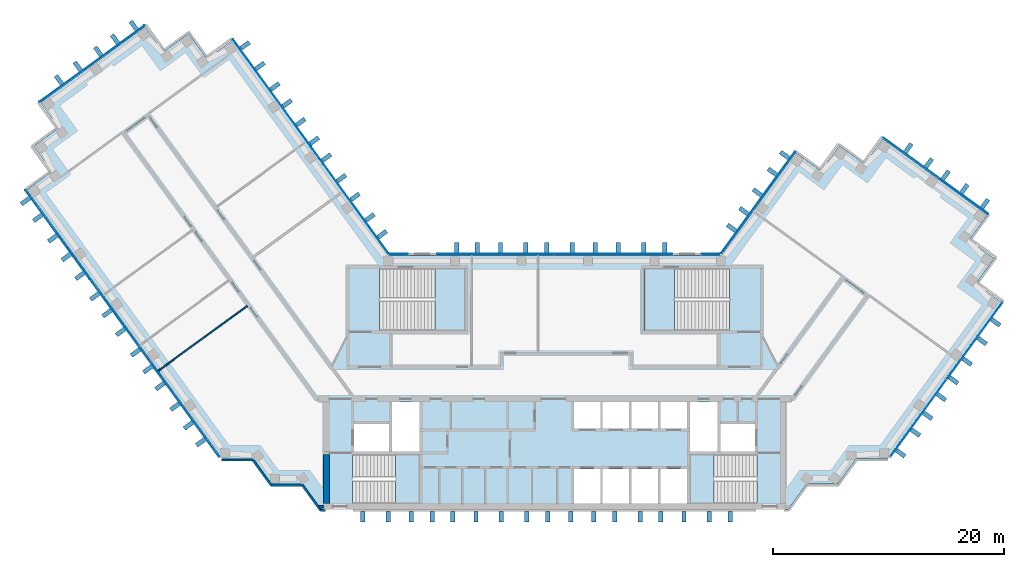
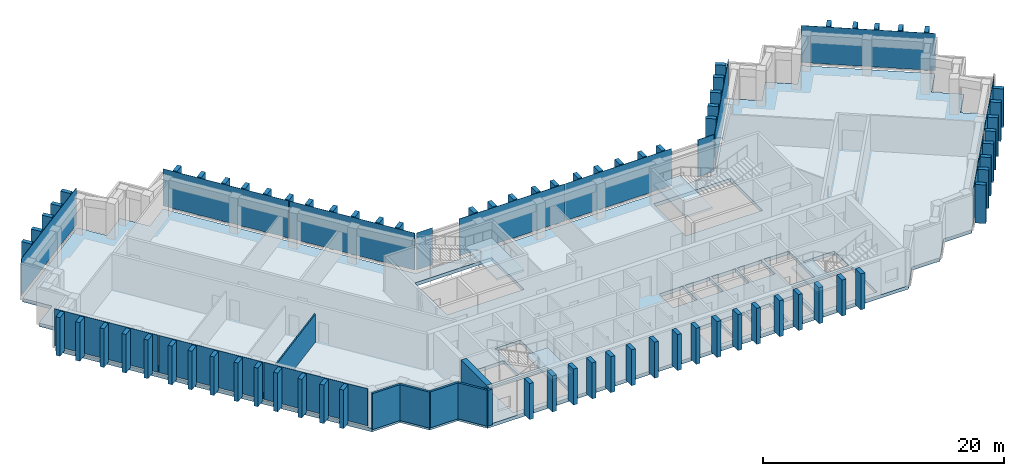
"""IFC4 building model written with IfcOpenShell, lengths in metres."""

from ifc_helpers import new_model, si_unit, direction, frame, frame_2d, origin, origin_2d, place, context, subcontext, project, spatial, polyline, rectangle, outline, extrude, material, layer, layer_set, type_object, element, aggregate, save


model = new_model("IFC4")

# Units and contexts
model_context = context("Model", 3, precision=1e-05, world=origin(), true_north=direction((0.0, 1.0)))
body_context = subcontext(model_context, "Body", "Model", "MODEL_VIEW")
ifc_project = project(units=[si_unit("LENGTHUNIT", "METRE"), si_unit("AREAUNIT", "SQUARE_METRE"), si_unit("VOLUMEUNIT", "CUBIC_METRE"), si_unit("PLANEANGLEUNIT", "RADIAN"), si_unit("MASSUNIT", "GRAM", prefix="KILO")], contexts=[model_context])

# Site, building, storey
site_placement = place(None, origin())
site = spatial("IfcSite", under=ifc_project, at=site_placement, CompositionType="ELEMENT")
building_placement = place(site_placement, origin())
building = spatial("IfcBuilding", under=site, at=building_placement, Name="Quipu Civic Tower", CompositionType="ELEMENT")
storey_1_placement = place(building_placement, frame((0.0, 0.0, 194.0)))
storey_1 = spatial("IfcBuildingStorey", under=building, at=storey_1_placement, Name="L45", CompositionType="ELEMENT", Elevation=194.0)

# Slab
ifc_material_1 = material(Name="Concrete C40/50", Category="concrete")
ifc_layer_1 = layer(ifc_material_1, 0.35009765625)
ifc_layer_set_1 = layer_set([ifc_layer_1], Name="Concrete C40/50")
slab_type_1 = type_object("IfcSlabType", Name="Floor slab 350 C40/50", PredefinedType="FLOOR", material=ifc_layer_set_1)
slab_1_placement = place(storey_1_placement, frame((0.0, 0.0, -0.35009765625)))
element("IfcSlab", 1, at=slab_1_placement, inside=storey_1, type_object=slab_type_1, Name="Floor slab L45", PredefinedType="FLOOR", context=body_context, shape_type="SweptSolid", body=[
    extrude(outline(polyline([(20.860107421875, 19.89501953125), (23.0400390625, 18.31005859375), (24.6298828125, 20.4951171875), (26.81494140625, 18.905029296875), (28.39990234375, 21.090087890625), (37.4599609375, 14.5048828125), (35.875, 12.320068359375), (38.06005859375, 10.735107421875), (36.469970703125, 8.550048828125), (38.655029296875, 6.965087890625), (28.780029296875, -6.6298828125), (26.080078125, -6.6298828125), (24.489990234375, -8.81494140625), (21.7900390625, -8.81494140625), (20.205078125, -11.0), (-20.205078125, -11.0), (-21.7900390625, -8.81494140625), (-24.489990234375, -8.81494140625), (-26.080078125, -6.6298828125), (-28.780029296875, -6.6298828125), (-45.7099609375, 16.669921875), (-43.52490234375, 18.260009765625), (-45.114990234375, 20.445068359375), (-42.929931640625, 22.030029296875), (-44.514892578125, 24.215087890625), (-35.455078125, 30.800048828125), (-33.864990234375, 28.614990234375), (-31.68505859375, 30.199951171875), (-30.094970703125, 28.014892578125), (-27.909912109375, 29.60498046875), (-14.39501953125, 11.0), (14.39501953125, 11.0), (20.860107421875, 19.89501953125)]), holes=[polyline([(1.64990234375, -7.5), (1.64990234375, -10.5), (3.949951171875, -10.5), (3.949951171875, -7.5), (1.64990234375, -7.5)]), polyline([(4.14990234375, -7.5), (4.14990234375, -10.5), (6.449951171875, -10.5), (6.449951171875, -7.5), (4.14990234375, -7.5)]), polyline([(-11.705078125, -6.2548828125), (-17.4951171875, -6.2548828125), (-17.4951171875, -10.4951171875), (-11.705078125, -10.4951171875), (-11.705078125, -6.2548828125)]), polyline([(-17.35009765625, -3.60009765625), (-17.35009765625, -6.0), (-14.35009765625, -6.0), (-14.35009765625, -3.60009765625), (-17.35009765625, -3.60009765625)]), polyline([(-14.10009765625, -1.699951171875), (-14.10009765625, -6.0), (-11.699951171875, -6.0), (-11.699951171875, -1.699951171875), (-14.10009765625, -1.699951171875)]), polyline([(1.64990234375, -1.699951171875), (1.64990234375, -4.0), (3.949951171875, -4.0), (3.949951171875, -1.699951171875), (1.64990234375, -1.699951171875)]), polyline([(4.14990234375, -1.699951171875), (4.14990234375, -4.0), (6.449951171875, -4.0), (6.449951171875, -1.699951171875), (4.14990234375, -1.699951171875)]), polyline([(-7.7548828125, 9.844970703125), (-15.14501953125, 9.844970703125), (-15.14501953125, 4.5048828125), (-7.7548828125, 4.5048828125), (-7.7548828125, 9.844970703125)]), polyline([(6.64990234375, -7.5), (6.64990234375, -10.5), (8.949951171875, -10.5), (8.949951171875, -7.5), (6.64990234375, -7.5)]), polyline([(9.14990234375, -7.5), (9.14990234375, -10.5), (11.449951171875, -10.5), (11.449951171875, -7.5), (9.14990234375, -7.5)]), polyline([(11.705078125, -10.4951171875), (17.4951171875, -10.4951171875), (17.4951171875, -6.2548828125), (11.705078125, -6.2548828125), (11.705078125, -10.4951171875)]), polyline([(14.35009765625, -3.60009765625), (14.35009765625, -6.0), (17.35009765625, -6.0), (17.35009765625, -3.60009765625), (14.35009765625, -3.60009765625)]), polyline([(11.699951171875, -1.699951171875), (11.699951171875, -6.0), (14.10009765625, -6.0), (14.10009765625, -1.699951171875), (11.699951171875, -1.699951171875)]), polyline([(6.64990234375, -1.699951171875), (6.64990234375, -4.0), (8.949951171875, -4.0), (8.949951171875, -1.699951171875), (6.64990234375, -1.699951171875)]), polyline([(9.14990234375, -1.699951171875), (9.14990234375, -4.0), (11.449951171875, -4.0), (11.449951171875, -1.699951171875), (9.14990234375, -1.699951171875)]), polyline([(7.7548828125, 4.5048828125), (15.14501953125, 4.5048828125), (15.14501953125, 9.844970703125), (7.7548828125, 9.844970703125), (7.7548828125, 4.5048828125)])]), origin(), (0.0, 0.0, 1.0), 0.35009765625),
])

# Curtain wall, plates
ifc_material_2 = material(Name="Insulated glass unit", Category="glass")
curtain_wall_type = type_object("IfcCurtainWallType", Name="Office curtain wall CW1", PredefinedType="NOTDEFINED", material=ifc_material_2)
curtain_wall_1_placement = place(storey_1_placement, origin())
curtain_wall_1 = element("IfcCurtainWall", 2, at=curtain_wall_1_placement, inside=storey_1, type_object=curtain_wall_type, Name="Office curtain wall CW1 L45 run 1", PredefinedType="NOTDEFINED")
ifc_material_3 = material(Name="Insulated glass unit", Category="glass")
ifc_layer_2 = layer(ifc_material_3, 0.028076171875)
ifc_layer_set_2 = layer_set([ifc_layer_2], Name="Insulated glass unit")
plate_type_1 = type_object("IfcPlateType", Name="Glass panel CW1", PredefinedType="CURTAIN_PANEL", material=ifc_layer_set_2)
plate_1_placement = place(storey_1_placement, frame((31.465087890625, -3.10400390625, 0.240234375), z_axis=(0.0, 0.0, 1.0), x_axis=(0.58778680192, 0.809015868502, 0.0)))
plate_1 = element("IfcPlate", 3, at=plate_1_placement, type_object=plate_type_1, Name="CW1 panel 1.1", PredefinedType="CURTAIN_PANEL", context=body_context, shape_type="SweptSolid", body=[
    extrude(rectangle(XDim=8.2080078125, YDim=0.028076171875, at=origin_2d()), origin(), (0.0, 0.0, 1.0), 3.679931640625),
])
plate_2_placement = place(storey_1_placement, frame((36.3369140625, 3.60107421875, 0.240234375), z_axis=(0.0, 0.0, 1.0), x_axis=(0.58778680192, 0.809015868502, 0.0)))
plate_2 = element("IfcPlate", 4, at=plate_2_placement, type_object=plate_type_1, Name="CW1 panel 2.1", PredefinedType="CURTAIN_PANEL", context=body_context, shape_type="SweptSolid", body=[
    extrude(rectangle(XDim=8.2080078125, YDim=0.028076171875, at=origin_2d()), origin(), (0.0, 0.0, 1.0), 3.679931640625),
])
aggregate(curtain_wall_1, [plate_1, plate_2])

# Storey
storey_2_placement = place(building_placement, frame((0.0, 0.0, 198.0)))
storey_2 = spatial("IfcBuildingStorey", under=building, at=storey_2_placement, Name="L46", CompositionType="ELEMENT", Elevation=198.0)

# Curtain wall, plate
curtain_wall_2_placement = place(storey_2_placement, origin())
curtain_wall_2 = element("IfcCurtainWall", 5, at=curtain_wall_2_placement, inside=storey_2, type_object=curtain_wall_type, Name="Office curtain wall CW1 L45 run 6", PredefinedType="NOTDEFINED")
plate_3_placement = place(storey_1_placement, frame((32.989990234375, 17.87939453125, 0.240234375), z_axis=(0.0, 0.0, 1.0), x_axis=(-0.809015176832, 0.587787753918, 0.0)))
plate_3 = element("IfcPlate", 6, at=plate_3_placement, inside=storey_1, type_object=plate_type_1, Name="CW1 panel 1.1", PredefinedType="CURTAIN_PANEL", context=body_context, shape_type="SweptSolid", body=[
    extrude(rectangle(XDim=11.239990234375, YDim=0.028076171875, at=origin_2d()), origin(), (0.0, 0.0, 1.0), 3.760009765625),
])
aggregate(curtain_wall_2, [plate_3])

curtain_wall_3_placement = place(storey_2_placement, origin())
curtain_wall_3 = element("IfcCurtainWall", 7, at=curtain_wall_3_placement, inside=storey_2, type_object=curtain_wall_type, Name="Office curtain wall CW1 L45 run 11", PredefinedType="NOTDEFINED")
plate_4_placement = place(storey_1_placement, frame((17.590087890625, 15.5673828125, 0.240234375), z_axis=(0.0, 0.0, 1.0), x_axis=(-0.587787771652, -0.809015163947, 0.0)))
plate_4 = element("IfcPlate", 8, at=plate_4_placement, inside=storey_1, type_object=plate_type_1, Name="CW1 panel 1.1", PredefinedType="CURTAIN_PANEL", context=body_context, shape_type="SweptSolid", body=[
    extrude(rectangle(XDim=10.88427734375, YDim=0.028076171875, at=origin_2d()), origin(), (0.0, 0.0, 1.0), 3.760009765625),
])
aggregate(curtain_wall_3, [plate_4])

curtain_wall_4_placement = place(storey_2_placement, origin())
curtain_wall_4 = element("IfcCurtainWall", 9, at=curtain_wall_4_placement, inside=storey_2, type_object=curtain_wall_type, Name="Office curtain wall CW1 L45 run 12", PredefinedType="NOTDEFINED")
plate_5_placement = place(storey_1_placement, frame((13.49951171875, 11.10009765625, 0.240234375), z_axis=(0.0, 0.0, 1.0), x_axis=(-1.0, 0.0, 0.0)))
plate_5 = element("IfcPlate", 10, at=plate_5_placement, inside=storey_1, type_object=plate_type_1, Name="CW1 panel 1.1", PredefinedType="CURTAIN_PANEL", context=body_context, shape_type="SweptSolid", body=[
    extrude(rectangle(XDim=1.529296875, YDim=0.028076171875, at=origin_2d()), origin(), (0.0, 0.0, 1.0), 3.760009765625),
])
aggregate(curtain_wall_4, [plate_5])

# Curtain wall, plates
curtain_wall_5_placement = place(storey_2_placement, origin())
curtain_wall_5 = element("IfcCurtainWall", 11, at=curtain_wall_5_placement, inside=storey_2, type_object=curtain_wall_type, Name="Office curtain wall CW1 L45 run 14", PredefinedType="NOTDEFINED")
plate_6_placement = place(storey_1_placement, frame((5.11181640625, 11.10009765625, 0.240234375), z_axis=(0.0, 0.0, 1.0), x_axis=(-1.0, 0.0, 0.0)))
plate_6 = element("IfcPlate", 12, at=plate_6_placement, inside=storey_1, type_object=plate_type_1, Name="CW1 panel 1.1", PredefinedType="CURTAIN_PANEL", context=body_context, shape_type="SweptSolid", body=[
    extrude(rectangle(XDim=10.1435546875, YDim=0.028076171875, at=origin_2d()), origin(), (0.0, 0.0, 1.0), 3.760009765625),
])
plate_7_placement = place(storey_1_placement, frame((-5.11181640625, 11.10009765625, 0.240234375), z_axis=(0.0, 0.0, 1.0), x_axis=(-1.0, 0.0, 0.0)))
plate_7 = element("IfcPlate", 13, at=plate_7_placement, inside=storey_1, type_object=plate_type_1, Name="CW1 panel 2.1", PredefinedType="CURTAIN_PANEL", context=body_context, shape_type="SweptSolid", body=[
    extrude(rectangle(XDim=10.1435546875, YDim=0.028076171875, at=origin_2d()), origin(), (0.0, 0.0, 1.0), 3.760009765625),
])
aggregate(curtain_wall_5, [plate_6, plate_7])

# Curtain wall, plate
curtain_wall_6_placement = place(storey_2_placement, origin())
curtain_wall_6 = element("IfcCurtainWall", 14, at=curtain_wall_6_placement, inside=storey_2, type_object=curtain_wall_type, Name="Office curtain wall CW1 L45 run 16", PredefinedType="NOTDEFINED")
plate_8_placement = place(storey_1_placement, frame((-13.49951171875, 11.10009765625, 0.240234375), z_axis=(0.0, 0.0, 1.0), x_axis=(-1.0, 0.0, 0.0)))
plate_8 = element("IfcPlate", 15, at=plate_8_placement, inside=storey_1, type_object=plate_type_1, Name="CW1 panel 1.1", PredefinedType="CURTAIN_PANEL", context=body_context, shape_type="SweptSolid", body=[
    extrude(rectangle(XDim=1.529296875, YDim=0.028076171875, at=origin_2d()), origin(), (0.0, 0.0, 1.0), 3.760009765625),
])
aggregate(curtain_wall_6, [plate_8])

# Curtain wall, plates
curtain_wall_7_placement = place(storey_2_placement, origin())
curtain_wall_7 = element("IfcCurtainWall", 16, at=curtain_wall_7_placement, inside=storey_2, type_object=curtain_wall_type, Name="Office curtain wall CW1 L45 run 17", PredefinedType="NOTDEFINED")
plate_9_placement = place(storey_1_placement, frame((-17.7421875, 15.777099609375, 0.240234375), z_axis=(0.0, 0.0, 1.0), x_axis=(-0.587788727052, 0.809014469803, 0.0)))
plate_9 = element("IfcPlate", 17, at=plate_9_placement, inside=storey_1, type_object=plate_type_1, Name="CW1 panel 1.1", PredefinedType="CURTAIN_PANEL", context=body_context, shape_type="SweptSolid", body=[
    extrude(rectangle(XDim=11.402099609375, YDim=0.028076171875, at=origin_2d()), origin(), (0.0, 0.0, 1.0), 3.760009765625),
])
plate_10_placement = place(storey_1_placement, frame((-24.491455078125, 25.066162109375, 0.240234375), z_axis=(0.0, 0.0, 1.0), x_axis=(-0.587788727052, 0.809014469803, 0.0)))
plate_10 = element("IfcPlate", 18, at=plate_10_placement, inside=storey_1, type_object=plate_type_1, Name="CW1 panel 2.1", PredefinedType="CURTAIN_PANEL", context=body_context, shape_type="SweptSolid", body=[
    extrude(rectangle(XDim=11.402099609375, YDim=0.028076171875, at=origin_2d()), origin(), (0.0, 0.0, 1.0), 3.760009765625),
])
aggregate(curtain_wall_7, [plate_9, plate_10])

# Curtain wall, plate
curtain_wall_8_placement = place(storey_2_placement, origin())
curtain_wall_8 = element("IfcCurtainWall", 19, at=curtain_wall_8_placement, inside=storey_2, type_object=curtain_wall_type, Name="Office curtain wall CW1 L45 run 22", PredefinedType="NOTDEFINED")
plate_11_placement = place(storey_1_placement, frame((-40.04345703125, 27.58740234375, 0.240234375), z_axis=(0.0, 0.0, 1.0), x_axis=(-0.809015176832, -0.587787753918, 0.0)))
plate_11 = element("IfcPlate", 20, at=plate_11_placement, inside=storey_1, type_object=plate_type_1, Name="CW1 panel 1.1", PredefinedType="CURTAIN_PANEL", context=body_context, shape_type="SweptSolid", body=[
    extrude(rectangle(XDim=11.239990234375, YDim=0.028076171875, at=origin_2d()), origin(), (0.0, 0.0, 1.0), 3.760009765625),
])
aggregate(curtain_wall_8, [plate_11])

# Curtain wall, plates
curtain_wall_9_placement = place(storey_2_placement, origin())
curtain_wall_9 = element("IfcCurtainWall", 21, at=curtain_wall_9_placement, inside=storey_2, type_object=curtain_wall_type, Name="Office curtain wall CW1 L45 run 27", PredefinedType="NOTDEFINED")
plate_12_placement = place(storey_1_placement, frame((-43.030517578125, 12.814208984375, 0.240234375), z_axis=(0.0, 0.0, 1.0), x_axis=(0.5877856923, -0.80901667469, 0.0)))
plate_12 = element("IfcPlate", 22, at=plate_12_placement, inside=storey_1, type_object=plate_type_1, Name="CW1 panel 1.1", PredefinedType="CURTAIN_PANEL", context=body_context, shape_type="SweptSolid", body=[
    extrude(rectangle(XDim=9.43212890625, YDim=0.028076171875, at=origin_2d()), origin(), (0.0, 0.0, 1.0), 3.760009765625),
])
plate_13_placement = place(storey_1_placement, frame((-37.427734375, 5.102783203125, 0.240234375), z_axis=(0.0, 0.0, 1.0), x_axis=(0.5877856923, -0.80901667469, 0.0)))
plate_13 = element("IfcPlate", 23, at=plate_13_placement, inside=storey_1, type_object=plate_type_1, Name="CW1 panel 2.1", PredefinedType="CURTAIN_PANEL", context=body_context, shape_type="SweptSolid", body=[
    extrude(rectangle(XDim=9.471923828125, YDim=0.028076171875, at=origin_2d()), origin(), (0.0, 0.0, 1.0), 3.760009765625),
])
plate_14_placement = place(storey_1_placement, frame((-31.824951171875, -2.60888671875, 0.240234375), z_axis=(0.0, 0.0, 1.0), x_axis=(0.5877856923, -0.80901667469, 0.0)))
plate_14 = element("IfcPlate", 24, at=plate_14_placement, inside=storey_1, type_object=plate_type_1, Name="CW1 panel 3.1", PredefinedType="CURTAIN_PANEL", context=body_context, shape_type="SweptSolid", body=[
    extrude(rectangle(XDim=9.43212890625, YDim=0.028076171875, at=origin_2d()), origin(), (0.0, 0.0, 1.0), 3.760009765625),
])
aggregate(curtain_wall_9, [plate_12, plate_13, plate_14])

# Plates
ifc_material_4 = material(Name="Precast concrete C40/50", Category="concrete")
plate_type_2 = type_object("IfcPlateType", Name="Precast fin F2", PredefinedType="SHEET", material=ifc_material_4)
for number, where, z_axis, x_axis, name in (
    (25, (29.943603515625, -6.134033203125, 0.080078125), (0.0, 0.0, 1.0), (0.587786668783, 0.809015965233, 0.0), "Precast fin F2 L45.1.1"),
    (26, (31.236572265625, -4.354248046875, 0.080078125), (0.0, 0.0, 1.0), (0.587786668783, 0.809015965233, 0.0), "Precast fin F2 L45.1.2"),
    (27, (32.294677734375, -2.89794921875, 0.080078125), (0.0, 0.0, 1.0), (0.587786668783, 0.809015965233, 0.0), "Precast fin F2 L45.1.3"),
    (28, (33.47021484375, -1.280029296875, 0.080078125), (0.0, 0.0, 1.0), (0.587786668783, 0.809015965233, 0.0), "Precast fin F2 L45.1.4"),
    (29, (34.5283203125, 0.17626953125, 0.080078125), (0.0, 0.0, 1.0), (0.587786668783, 0.809015965233, 0.0), "Precast fin F2 L45.1.5"),
    (30, (35.703857421875, 1.79443359375, 0.080078125), (0.0, 0.0, 1.0), (0.587786668783, 0.809015965233, 0.0), "Precast fin F2 L45.1.6"),
    (31, (36.9970703125, 3.57421875, 0.080078125), (0.0, 0.0, 1.0), (0.587786668783, 0.809015965233, 0.0), "Precast fin F2 L45.1.7"),
    (32, (38.172607421875, 5.192138671875, 0.080078125), (0.0, 0.0, 1.0), (0.587786668783, 0.809015965233, 0.0), "Precast fin F2 L45.1.8"),
    (33, (37.2451171875, 15.467529296875, 0.080078125), (0.0, 0.0, 1.0), (-0.809017072762, 0.587785144401, 0.0), "Precast fin F2 L45.6.1"),
    (34, (35.46533203125, 16.7607421875, 0.080078125), (0.0, 0.0, 1.0), (-0.809017072762, 0.587785144401, 0.0), "Precast fin F2 L45.6.2"),
    (35, (33.847412109375, 17.936279296875, 0.080078125), (0.0, 0.0, 1.0), (-0.809017072762, 0.587785144401, 0.0), "Precast fin F2 L45.6.3"),
    (36, (32.39111328125, 18.994384765625, 0.080078125), (0.0, 0.0, 1.0), (-0.809017072762, 0.587785144401, 0.0), "Precast fin F2 L45.6.4"),
    (37, (30.611328125, 20.287353515625, 0.080078125), (0.0, 0.0, 1.0), (-0.809017072762, 0.587785144401, 0.0), "Precast fin F2 L45.6.5"),
    (38, (19.897216796875, 19.6787109375, 0.080078125), (0.0, 0.0, 1.0), (-0.58778443384, -0.809017589015, 0.0), "Precast fin F2 L45.11.1"),
    (39, (18.839111328125, 18.222412109375, 0.080078125), (0.0, 0.0, 1.0), (-0.58778443384, -0.809017589015, 0.0), "Precast fin F2 L45.11.2"),
    (40, (17.546142578125, 16.442626953125, 0.080078125), (0.0, 0.0, 1.0), (-0.58778443384, -0.809017589015, 0.0), "Precast fin F2 L45.11.3"),
    (41, (16.370361328125, 14.824462890625, 0.080078125), (0.0, 0.0, 1.0), (-0.58778443384, -0.809017589015, 0.0), "Precast fin F2 L45.11.4"),
    (42, (15.3125, 13.368408203125, 0.080078125), (0.0, 0.0, 1.0), (-0.58778443384, -0.809017589015, 0.0), "Precast fin F2 L45.11.5"),
    (43, (9.510009765625, 11.64990234375, 0.080078125), (0.0, 0.0, 1.0), (-1.0, 0.0, 0.0), "Precast fin F2 L45.14.1"),
    (44, (7.7099609375, 11.64990234375, 0.080078125), (0.0, 0.0, 1.0), (-1.0, 0.0, 0.0), "Precast fin F2 L45.14.2"),
    (45, (5.510009765625, 11.64990234375, 0.080078125), (0.0, 0.0, 1.0), (-1.0, 0.0, 0.0), "Precast fin F2 L45.14.3"),
    (46, (3.510009765625, 11.64990234375, 0.080078125), (0.0, 0.0, 1.0), (-1.0, 0.0, 0.0), "Precast fin F2 L45.14.4"),
    (47, (1.510009765625, 11.64990234375, 0.080078125), (0.0, 0.0, 1.0), (-1.0, 0.0, 0.0), "Precast fin F2 L45.14.5"),
    (48, (-0.68994140625, 11.64990234375, 0.080078125), (0.0, 0.0, 1.0), (-1.0, 0.0, 0.0), "Precast fin F2 L45.14.6"),
    (49, (-2.489990234375, 11.64990234375, 0.080078125), (0.0, 0.0, 1.0), (-1.0, 0.0, 0.0), "Precast fin F2 L45.14.7"),
    (50, (-4.68994140625, 11.64990234375, 0.080078125), (0.0, 0.0, 1.0), (-1.0, 0.0, 0.0), "Precast fin F2 L45.14.8"),
    (51, (-6.68994140625, 11.64990234375, 0.080078125), (0.0, 0.0, 1.0), (-1.0, 0.0, 0.0), "Precast fin F2 L45.14.9"),
    (52, (-8.489990234375, 11.64990234375, 0.080078125), (0.0, 0.0, 1.0), (-1.0, 0.0, 0.0), "Precast fin F2 L45.14.10"),
    (53, (-14.92138671875, 12.830078125, 0.080078125), (0.0, 0.0, 1.0), (-0.587787133119, 0.809015627871, 0.0), "Precast fin F2 L45.17.1"),
    (54, (-15.9794921875, 14.286376953125, 0.080078125), (0.0, 0.0, 1.0), (-0.587787133119, 0.809015627871, 0.0), "Precast fin F2 L45.17.2"),
    (55, (-17.272705078125, 16.066162109375, 0.080078125), (0.0, 0.0, 1.0), (-0.587787133119, 0.809015627871, 0.0), "Precast fin F2 L45.17.3"),
    (56, (-18.4482421875, 17.684326171875, 0.080078125), (0.0, 0.0, 1.0), (-0.587787133119, 0.809015627871, 0.0), "Precast fin F2 L45.17.4"),
    (57, (-19.741455078125, 19.464111328125, 0.080078125), (0.0, 0.0, 1.0), (-0.587787133119, 0.809015627871, 0.0), "Precast fin F2 L45.17.5"),
    (58, (-20.79931640625, 20.92041015625, 0.080078125), (0.0, 0.0, 1.0), (-0.587787133119, 0.809015627871, 0.0), "Precast fin F2 L45.17.6"),
    (59, (-21.974853515625, 22.538330078125, 0.080078125), (0.0, 0.0, 1.0), (-0.587787133119, 0.809015627871, 0.0), "Precast fin F2 L45.17.7"),
    (60, (-23.150390625, 24.156494140625, 0.080078125), (0.0, 0.0, 1.0), (-0.587787133119, 0.809015627871, 0.0), "Precast fin F2 L45.17.8"),
    (61, (-24.20849609375, 25.612548828125, 0.080078125), (0.0, 0.0, 1.0), (-0.587787133119, 0.809015627871, 0.0), "Precast fin F2 L45.17.9"),
    (62, (-25.501708984375, 27.392578125, 0.080078125), (0.0, 0.0, 1.0), (-0.587787133119, 0.809015627871, 0.0), "Precast fin F2 L45.17.10"),
    (63, (-26.794677734375, 29.17236328125, 0.080078125), (0.0, 0.0, 1.0), (-0.587787133119, 0.809015627871, 0.0), "Precast fin F2 L45.17.11"),
    (64, (-36.434814453125, 30.88916015625, 0.080078125), (0.0, 0.0, 1.0), (-0.809017072762, -0.587785144401, 0.0), "Precast fin F2 L45.22.1"),
    (65, (-38.052978515625, 29.713623046875, 0.080078125), (0.0, 0.0, 1.0), (-0.809017072762, -0.587785144401, 0.0), "Precast fin F2 L45.22.2"),
    (66, (-39.50927734375, 28.655517578125, 0.080078125), (0.0, 0.0, 1.0), (-0.809017072762, -0.587785144401, 0.0), "Precast fin F2 L45.22.3"),
    (67, (-41.2890625, 27.3623046875, 0.080078125), (0.0, 0.0, 1.0), (-0.809017072762, -0.587785144401, 0.0), "Precast fin F2 L45.22.4"),
    (68, (-42.906982421875, 26.186767578125, 0.080078125), (0.0, 0.0, 1.0), (-0.809017072762, -0.587785144401, 0.0), "Precast fin F2 L45.22.5"),
    (69, (-45.80078125, 15.69140625, 0.080078125), (0.0, 0.0, 1.0), (0.587785620359, -0.809016726959, 0.0), "Precast fin F2 L45.27.1"),
    (70, (-44.74267578125, 14.2353515625, 0.080078125), (0.0, 0.0, 1.0), (0.587785620359, -0.809016726959, 0.0), "Precast fin F2 L45.27.2"),
    (71, (-43.449462890625, 12.455322265625, 0.080078125), (0.0, 0.0, 1.0), (0.587785620359, -0.809016726959, 0.0), "Precast fin F2 L45.27.3"),
    (72, (-42.27392578125, 10.83740234375, 0.080078125), (0.0, 0.0, 1.0), (0.587785620359, -0.809016726959, 0.0), "Precast fin F2 L45.27.4"),
    (73, (-41.098388671875, 9.21923828125, 0.080078125), (0.0, 0.0, 1.0), (0.587785620359, -0.809016726959, 0.0), "Precast fin F2 L45.27.5"),
    (74, (-39.80517578125, 7.439453125, 0.080078125), (0.0, 0.0, 1.0), (0.587785620359, -0.809016726959, 0.0), "Precast fin F2 L45.27.6"),
    (75, (-38.747314453125, 5.983154296875, 0.080078125), (0.0, 0.0, 1.0), (0.587785620359, -0.809016726959, 0.0), "Precast fin F2 L45.27.7"),
    (76, (-37.57177734375, 4.365234375, 0.080078125), (0.0, 0.0, 1.0), (0.587785620359, -0.809016726959, 0.0), "Precast fin F2 L45.27.8"),
    (77, (-36.278564453125, 2.58544921875, 0.080078125), (0.0, 0.0, 1.0), (0.587785620359, -0.809016726959, 0.0), "Precast fin F2 L45.27.9"),
    (78, (-35.220458984375, 1.129150390625, 0.080078125), (0.0, 0.0, 1.0), (0.587785620359, -0.809016726959, 0.0), "Precast fin F2 L45.27.10"),
    (79, (-34.16259765625, -0.3271484375, 0.080078125), (0.0, 0.0, 1.0), (0.587785620359, -0.809016726959, 0.0), "Precast fin F2 L45.27.11"),
    (80, (-32.869384765625, -2.10693359375, 0.080078125), (0.0, 0.0, 1.0), (0.587785620359, -0.809016726959, 0.0), "Precast fin F2 L45.27.12"),
    (81, (-31.69384765625, -3.724853515625, 0.080078125), (0.0, 0.0, 1.0), (0.587785620359, -0.809016726959, 0.0), "Precast fin F2 L45.27.13"),
    (82, (-30.6357421875, -5.18115234375, 0.080078125), (0.0, 0.0, 1.0), (0.587785620359, -0.809016726959, 0.0), "Precast fin F2 L45.27.14"),
):
    element("IfcPlate", number, at=place(storey_1_placement, frame(where, z_axis=z_axis, x_axis=x_axis)), inside=storey_1, type_object=plate_type_2, Name=name, PredefinedType="SHEET", context=body_context, shape_type="SweptSolid", body=[
        extrude(rectangle(XDim=0.3798828125, YDim=0.89990234375, at=origin_2d()), origin(), (0.0, 0.0, 1.0), 3.919921875),
    ])
for number, where, z_axis, x_axis, name in (
    (83, (-16.610107421875, -11.637939453125, 0.0), (0.0, 0.0, 1.0), (1.0, 0.0, 0.0), "Precast fin F2 L45.33.1"),
    (84, (-14.409912109375, -11.637939453125, 0.0), (0.0, 0.0, 1.0), (1.0, 0.0, 0.0), "Precast fin F2 L45.33.2"),
    (85, (-12.409912109375, -11.637939453125, 0.0), (0.0, 0.0, 1.0), (1.0, 0.0, 0.0), "Precast fin F2 L45.33.3"),
    (86, (-10.610107421875, -11.637939453125, 0.0), (0.0, 0.0, 1.0), (1.0, 0.0, 0.0), "Precast fin F2 L45.33.4"),
    (87, (-8.81005859375, -11.637939453125, 0.0), (0.0, 0.0, 1.0), (1.0, 0.0, 0.0), "Precast fin F2 L45.33.5"),
    (88, (-6.81005859375, -11.637939453125, 0.0), (0.0, 0.0, 1.0), (1.0, 0.0, 0.0), "Precast fin F2 L45.33.6"),
    (89, (-4.610107421875, -11.637939453125, 0.0), (0.0, 0.0, 1.0), (1.0, 0.0, 0.0), "Precast fin F2 L45.33.7"),
    (90, (-2.409912109375, -11.637939453125, 0.0), (0.0, 0.0, 1.0), (1.0, 0.0, 0.0), "Precast fin F2 L45.33.8"),
    (91, (-0.610107421875, -11.637939453125, 0.0), (0.0, 0.0, 1.0), (1.0, 0.0, 0.0), "Precast fin F2 L45.33.9"),
    (92, (1.389892578125, -11.637939453125, 0.0), (0.0, 0.0, 1.0), (1.0, 0.0, 0.0), "Precast fin F2 L45.33.10"),
    (93, (3.389892578125, -11.637939453125, 0.0), (0.0, 0.0, 1.0), (1.0, 0.0, 0.0), "Precast fin F2 L45.33.11"),
    (94, (5.18994140625, -11.637939453125, 0.0), (0.0, 0.0, 1.0), (1.0, 0.0, 0.0), "Precast fin F2 L45.33.12"),
    (95, (7.389892578125, -11.637939453125, 0.0), (0.0, 0.0, 1.0), (1.0, 0.0, 0.0), "Precast fin F2 L45.33.13"),
    (96, (9.18994140625, -11.637939453125, 0.0), (0.0, 0.0, 1.0), (1.0, 0.0, 0.0), "Precast fin F2 L45.33.14"),
    (97, (11.18994140625, -11.637939453125, 0.0), (0.0, 0.0, 1.0), (1.0, 0.0, 0.0), "Precast fin F2 L45.33.15"),
    (98, (13.389892578125, -11.637939453125, 0.0), (0.0, 0.0, 1.0), (1.0, 0.0, 0.0), "Precast fin F2 L45.33.16"),
    (99, (15.18994140625, -11.637939453125, 0.0), (0.0, 0.0, 1.0), (1.0, 0.0, 0.0), "Precast fin F2 L45.33.17"),
):
    element("IfcPlate", number, at=place(storey_1_placement, frame(where, z_axis=z_axis, x_axis=x_axis)), inside=storey_1, type_object=plate_type_2, Name=name, PredefinedType="SHEET", context=body_context, shape_type="SweptSolid", body=[
        extrude(rectangle(XDim=0.3798828125, YDim=0.89990234375, at=origin_2d()), origin(), (0.0, 0.0, 1.0), 3.64990234375),
    ])

# Stair, slab
ifc_material_5 = material(Name="Concrete C40/50", Category="concrete")
stair_type_1 = type_object("IfcStairType", Name="Half turn stair 2000", PredefinedType="HALF_TURN_STAIR", material=ifc_material_5)
stair_1_placement = place(storey_1_placement, origin())
stair_1 = element("IfcStair", 100, at=stair_1_placement, inside=storey_1, type_object=stair_type_1, Name="Exit stair 1", PredefinedType="HALF_TURN_STAIR")
ifc_material_6 = material(Name="Concrete C40/50", Category="concrete")
ifc_layer_3 = layer(ifc_material_6, 0.199951171875)
ifc_layer_set_3 = layer_set([ifc_layer_3], Name="Concrete C40/50")
slab_type_2 = type_object("IfcSlabType", Name="Stair landing 200", PredefinedType="LANDING", material=ifc_layer_set_3)
slab_2_placement = place(storey_1_placement, frame((0.0, 0.0, 1.800048828125)))
slab_2 = element("IfcSlab", 101, at=slab_2_placement, type_object=slab_type_2, Name="ST-1 landing 1", PredefinedType="LANDING", context=body_context, shape_type="SweptSolid", body=[
    extrude(outline(polyline([(-13.780029296875, -10.5), (-11.699951171875, -10.5), (-11.699951171875, -6.25), (-13.780029296875, -6.25), (-13.780029296875, -10.5)])), origin(), (0.0, 0.0, 1.0), 0.199951171875),
])
aggregate(stair_1, [slab_2])

stair_2_placement = place(storey_1_placement, origin())
stair_2 = element("IfcStair", 102, at=stair_2_placement, inside=storey_1, type_object=stair_type_1, Name="Exit stair 2", PredefinedType="HALF_TURN_STAIR")
slab_3_placement = place(storey_1_placement, frame((0.0, 0.0, 1.800048828125)))
slab_3 = element("IfcSlab", 103, at=slab_3_placement, type_object=slab_type_2, Name="ST-2 landing 1", PredefinedType="LANDING", context=body_context, shape_type="SweptSolid", body=[
    extrude(outline(polyline([(13.780029296875, -6.25), (11.699951171875, -6.25), (11.699951171875, -10.5), (13.780029296875, -10.5), (13.780029296875, -6.25)])), origin(), (0.0, 0.0, 1.0), 0.199951171875),
])
aggregate(stair_2, [slab_3])

ifc_material_7 = material(Name="Concrete C40/50", Category="concrete")
stair_type_2 = type_object("IfcStairType", Name="Half turn stair 2600", PredefinedType="HALF_TURN_STAIR", material=ifc_material_7)
stair_3_placement = place(storey_1_placement, origin())
stair_3 = element("IfcStair", 104, at=stair_3_placement, inside=storey_1, type_object=stair_type_2, Name="Exit stair 3", PredefinedType="HALF_TURN_STAIR")
slab_4_placement = place(storey_1_placement, frame((0.0, 0.0, 1.800048828125)))
slab_4 = element("IfcSlab", 105, at=slab_4_placement, type_object=slab_type_2, Name="ST-3 landing 1", PredefinedType="LANDING", context=body_context, shape_type="SweptSolid", body=[
    extrude(outline(polyline([(-10.35009765625, 4.5), (-7.75, 4.5), (-7.75, 9.85009765625), (-10.35009765625, 9.85009765625), (-10.35009765625, 4.5)])), origin(), (0.0, 0.0, 1.0), 0.199951171875),
])
aggregate(stair_3, [slab_4])

stair_4_placement = place(storey_1_placement, origin())
stair_4 = element("IfcStair", 106, at=stair_4_placement, inside=storey_1, type_object=stair_type_2, Name="Exit stair 4", PredefinedType="HALF_TURN_STAIR")
slab_5_placement = place(storey_1_placement, frame((0.0, 0.0, 1.800048828125)))
slab_5 = element("IfcSlab", 107, at=slab_5_placement, type_object=slab_type_2, Name="ST-4 landing 1", PredefinedType="LANDING", context=body_context, shape_type="SweptSolid", body=[
    extrude(outline(polyline([(10.35009765625, 9.85009765625), (7.75, 9.85009765625), (7.75, 4.5), (10.35009765625, 4.5), (10.35009765625, 9.85009765625)])), origin(), (0.0, 0.0, 1.0), 0.199951171875),
])
aggregate(stair_4, [slab_5])

# Walls
ifc_material_8 = material(Name="Concrete C70/85", Category="concrete")
ifc_layer_4 = layer(ifc_material_8, 0.5)
ifc_layer_set_4 = layer_set([ifc_layer_4], Name="Concrete C70/85")
wall_type_1 = type_object("IfcWallType", Name="Core wall 500", PredefinedType="SHEAR", material=ifc_layer_set_4)
wall_1_placement = place(storey_1_placement, frame((-19.75, -10.5, 0.0), z_axis=(0.0, 0.0, 1.0), x_axis=(0.0, 1.0, 0.0)))
element("IfcWall", 108, at=wall_1_placement, inside=storey_1, type_object=wall_type_1, Name="Core wall", PredefinedType="SHEAR", context=body_context, shape_type="SweptSolid", body=[
    extrude(rectangle(XDim=4.25, YDim=0.5, at=frame_2d((2.125, 0.0))), origin(), (0.0, 0.0, 1.0), 3.64990234375),
])
ifc_material_9 = material(Name="Gypsum plasterboard on light gauge framing")
ifc_layer_5 = layer(ifc_material_9, 0.1201171875)
ifc_layer_set_5 = layer_set([ifc_layer_5], Name="Gypsum plasterboard on light gauge framing")
wall_type_2 = type_object("IfcWallType", Name="Partition 120 plasterboard", PredefinedType="PARTITIONING", material=ifc_layer_set_5)
wall_2_placement = place(storey_1_placement, frame((-26.59521484375, 6.61083984375, 0.0), z_axis=(0.0, 0.0, 1.0), x_axis=(-0.80900684162, -0.587799226107, 0.0)))
element("IfcWall", 109, at=wall_2_placement, inside=storey_1, type_object=wall_type_2, Name="Partition P09", PredefinedType="PARTITIONING", context=body_context, shape_type="SweptSolid", body=[
    extrude(rectangle(XDim=9.550048828125, YDim=0.1201171875, at=frame_2d((4.77490234375, 0.0))), origin(), (0.0, 0.0, 1.0), 2.85009765625),
])
ifc_material_10 = material(Name="Precast concrete C40/50", Category="concrete")
wall_type_3 = type_object("IfcWallType", Name="Precast cladding wall", PredefinedType="SOLIDWALL", material=ifc_material_10)
wall_3_placement = place(storey_1_placement, frame((-28.829833984375, -6.71923828125, 0.0), z_axis=(0.0, 0.0, 1.0), x_axis=(1.0, 0.0, 0.0)))
element("IfcWall", 110, at=wall_3_placement, inside=storey_1, type_object=wall_type_3, Name="Precast cladding wall L45 28", PredefinedType="SOLIDWALL", context=body_context, shape_type="SweptSolid", body=[
    extrude(rectangle(XDim=2.699951171875, YDim=0.199951171875, at=frame_2d((1.35009765625, 0.0))), origin(), (0.0, 0.0, 1.0), 3.64990234375),
])
wall_4_placement = place(storey_1_placement, frame((-26.1201171875, -6.72412109375, 0.0), z_axis=(0.0, 0.0, 1.0), x_axis=(0.587720002413, -0.809064397168, 0.0)))
element("IfcWall", 111, at=wall_4_placement, inside=storey_1, type_object=wall_type_3, Name="Precast cladding wall L45 29", PredefinedType="SOLIDWALL", context=body_context, shape_type="SweptSolid", body=[
    extrude(rectangle(XDim=2.7001953125, YDim=0.199951171875, at=frame_2d((1.35009765625, 0.0))), origin(), (0.0, 0.0, 1.0), 3.64990234375),
])
wall_5_placement = place(storey_1_placement, frame((-24.542724609375, -8.90380859375, 0.0), z_axis=(0.0, 0.0, 1.0), x_axis=(1.0, 0.0, 0.0)))
element("IfcWall", 112, at=wall_5_placement, inside=storey_1, type_object=wall_type_3, Name="Precast cladding wall L45 30", PredefinedType="SOLIDWALL", context=body_context, shape_type="SweptSolid", body=[
    extrude(rectangle(XDim=2.699951171875, YDim=0.199951171875, at=frame_2d((1.35009765625, 0.0))), origin(), (0.0, 0.0, 1.0), 3.64990234375),
])
wall_6_placement = place(storey_1_placement, frame((-21.8330078125, -8.90869140625, 0.0), z_axis=(0.0, 0.0, 1.0), x_axis=(0.587766567315, -0.809030569476, 0.0)))
element("IfcWall", 113, at=wall_6_placement, inside=storey_1, type_object=wall_type_3, Name="Precast cladding wall L45 31", PredefinedType="SOLIDWALL", context=body_context, shape_type="SweptSolid", body=[
    extrude(rectangle(XDim=2.687744140625, YDim=0.199951171875, at=frame_2d((1.34375, 0.0))), origin(), (0.0, 0.0, 1.0), 3.64990234375),
])
wall_7_placement = place(storey_1_placement, frame((-20.255859375, -11.087890625, 0.0), z_axis=(0.0, 0.0, 1.0), x_axis=(1.0, 0.0, 0.0)))
element("IfcWall", 114, at=wall_7_placement, inside=storey_1, type_object=wall_type_3, Name="Precast cladding wall L45 32", PredefinedType="SOLIDWALL", context=body_context, shape_type="SweptSolid", body=[
    extrude(rectangle(XDim=0.40576171875, YDim=0.199951171875, at=frame_2d((0.202880859375, 0.0))), origin(), (0.0, 0.0, 1.0), 3.64990234375),
])
wall_8_placement = place(storey_1_placement, frame((-19.97998046875, -10.75, 0.0), z_axis=(0.0, 0.0, 1.0), x_axis=(-1.0, 0.0, 0.0)))
element("IfcWall", 115, at=wall_8_placement, inside=storey_1, type_object=wall_type_3, Name="Precast cladding return L45 W", PredefinedType="SOLIDWALL", context=body_context, shape_type="SweptSolid", body=[
    extrude(rectangle(XDim=0.41650390625, YDim=0.199951171875, at=frame_2d((0.208251953125, 0.0))), origin(), (0.0, 0.0, 1.0), 3.64990234375),
])

save(model, "model.ifc")
